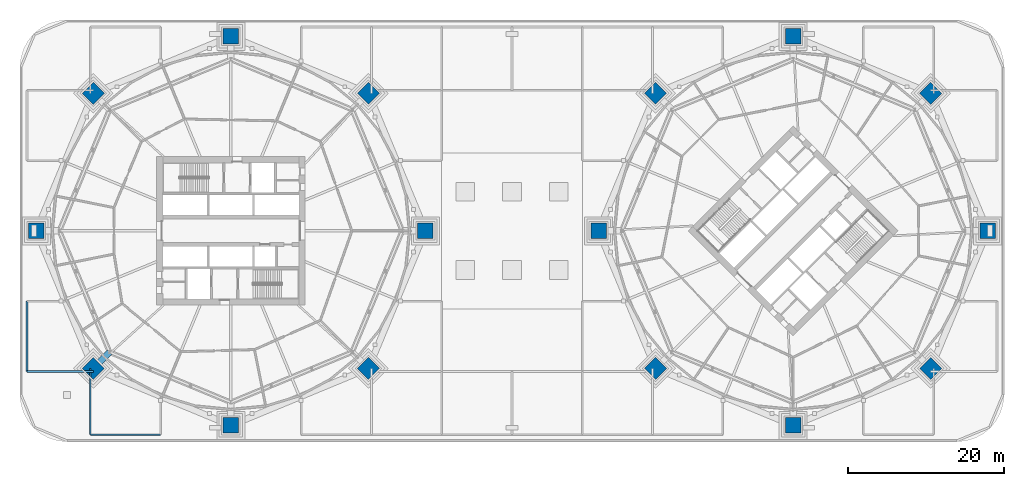
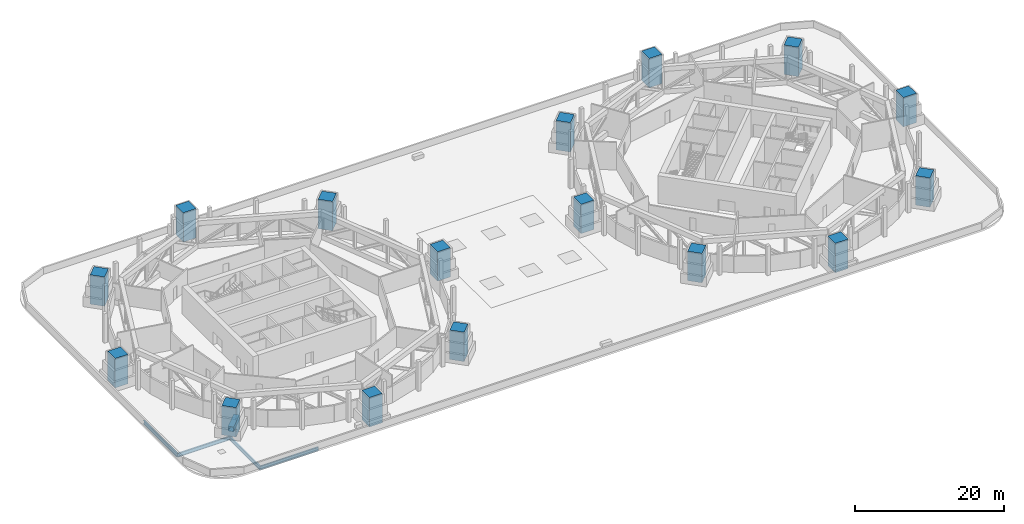
# One storey, part 1 of 21: 16 columns, 5 beams.
"""IFC4 building model written with IfcOpenShell, lengths in metres."""

import ifcopenshell
import ifcopenshell.guid

model = None  # the IFC model being written
_history = None  # IfcOwnerHistory: only IFC2X3 demands one
_inside = {}  # id of a spatial element -> (the spatial element, [elements in it])
_under = {}  # id of a project, library or spatial element -> (it, [spatial elements below it])
_declared = {}  # id of a project -> (the project, [libraries it declares])
_typed = {}  # id of a type object -> (the type object, [elements of that type])
_made_of = {}  # id of a material, layer set ... -> (it, [elements and type objects made of it])


def new_model(schema):
    """Start an empty IFC model of exactly this schema.

    Asked for "IFC4X3", IfcOpenShell would pick the latest addendum, in which some entities
    have other attributes; the version numbers below select the first issue.
    IFC2X3 requires an IfcOwnerHistory on every rooted entity: one is made here for all.
    """
    global model, _history
    if schema == "IFC4X3":
        model = ifcopenshell.file(schema_version=(4, 3, 0, 0))
    else:
        model = ifcopenshell.file(schema=schema)
    _inside.clear()
    _under.clear()
    _declared.clear()
    _typed.clear()
    _made_of.clear()
    _history = None
    if model.schema == "IFC2X3":
        org = make("IfcOrganization", Name="unknown")
        user = make(
            "IfcPersonAndOrganization",
            ThePerson=make("IfcPerson", FamilyName="unknown"),
            TheOrganization=org,
        )
        app = make(
            "IfcApplication",
            ApplicationDeveloper=org,
            Version="unknown",
            ApplicationFullName="unknown",
            ApplicationIdentifier="unknown",
        )
        _history = make(
            "IfcOwnerHistory",
            OwningUser=user,
            OwningApplication=app,
            ChangeAction="ADDED",
            CreationDate=0,
        )
    return model


def make(cls, **values):
    """One entity of the class cls with the attributes given. An attribute that is None is left unset."""
    return model.create_entity(
        cls, **{name: value for name, value in values.items() if value is not None}
    )


def rooted(cls, **values):
    """An entity with a GlobalId (a new one), such as an element, a storey or a relation."""
    return make(cls, GlobalId=ifcopenshell.guid.new(), OwnerHistory=_history, **values)


def si_unit(unit_type, name, prefix=None):
    """IfcSIUnit, for example si_unit("LENGTHUNIT", "METRE", prefix="MILLI")."""
    return make("IfcSIUnit", UnitType=unit_type, Prefix=prefix, Name=name)


def assignment(units):
    """IfcUnitAssignment: the units of a project."""
    return None if units is None else make("IfcUnitAssignment", Units=units)


def point(xyz):
    """IfcCartesianPoint."""
    return None if xyz is None else make("IfcCartesianPoint", Coordinates=xyz)


def direction(xyz):
    """IfcDirection."""
    return None if xyz is None else make("IfcDirection", DirectionRatios=xyz)


def frame(location, z_axis=None, x_axis=None):
    """IfcAxis2Placement3D, a coordinate frame: its origin and axes. An axis left out is left unset."""
    return make(
        "IfcAxis2Placement3D",
        Location=point(location),
        Axis=direction(z_axis),
        RefDirection=direction(x_axis),
    )


def frame_2d(location, x_axis=None):
    """IfcAxis2Placement2D, a coordinate frame in the plane: its origin and x axis."""
    return make(
        "IfcAxis2Placement2D", Location=point(location), RefDirection=direction(x_axis)
    )


def origin():
    """The frame at (0, 0, 0) with its axes left unset."""
    return frame((0.0, 0.0, 0.0))


def origin_2d():
    """The frame at (0, 0) in the plane with its x axis left unset."""
    return frame_2d((0.0, 0.0))


def place(relative_to, where):
    """IfcLocalPlacement: puts the frame where relative to a parent placement (None: the world)."""
    return make(
        "IfcLocalPlacement", PlacementRelTo=relative_to, RelativePlacement=where
    )


def context(
    kind, dimensions, precision=None, world=None, true_north=None, identifier=None
):
    """IfcGeometricRepresentationContext, for example the 3D "Model" context."""
    return make(
        "IfcGeometricRepresentationContext",
        ContextIdentifier=identifier,
        ContextType=kind,
        CoordinateSpaceDimension=dimensions,
        Precision=precision,
        WorldCoordinateSystem=world,
        TrueNorth=true_north,
    )


def subcontext(parent, identifier, kind, view, scale=None):
    """IfcGeometricRepresentationSubContext, for example "Body" below "Model"."""
    return make(
        "IfcGeometricRepresentationSubContext",
        ContextIdentifier=identifier,
        ContextType=kind,
        ParentContext=parent,
        TargetScale=scale,
        TargetView=view,
    )


def project(units=None, contexts=None):
    """IfcProject with its units and contexts."""
    return rooted(
        "IfcProject",
        Name="project",
        RepresentationContexts=contexts,
        UnitsInContext=assignment(units),
    )


def spatial(cls, under=None, at=None, **own):
    """A site, building, storey or space (cls), placed at a placement, below another one or the project."""
    s = rooted(cls, ObjectPlacement=at, **own)
    if under is not None:
        _under.setdefault(under.id(), (under, []))[1].append(s)
    return s


def profile(cls, at=None, kind="AREA", **sizes):
    """A parametric profile (cls). Its sizes go by their IFC names, for example OverallWidth=200.0."""
    return make(cls, ProfileType=kind, Position=at, **sizes)


def rectangle(**sizes):
    """IfcRectangleProfileDef."""
    return profile("IfcRectangleProfileDef", **sizes)


def hollow_rectangle(**sizes):
    """IfcRectangleHollowProfileDef."""
    return profile("IfcRectangleHollowProfileDef", **sizes)


def i_section(**sizes):
    """IfcIShapeProfileDef."""
    return profile("IfcIShapeProfileDef", **sizes)


def extrude(swept, where, along, depth):
    """IfcExtrudedAreaSolid: the profile swept, set in the frame where, extruded along a direction by depth."""
    return make(
        "IfcExtrudedAreaSolid",
        SweptArea=swept,
        Position=where,
        ExtrudedDirection=direction(along),
        Depth=depth,
    )


def shape(context_of_items, identifier, shape_type, items):
    """IfcShapeRepresentation: the items that make up one representation, for example the "Body"."""
    return make(
        "IfcShapeRepresentation",
        ContextOfItems=context_of_items,
        RepresentationIdentifier=identifier,
        RepresentationType=shape_type,
        Items=items,
    )


def material(Name=None, Category=None):
    """IfcMaterial."""
    return make("IfcMaterial", Name=Name, Category=Category)


def material_profile(
    of_material, cross_section, Name=None, Category=None, Priority=None
):
    """IfcMaterialProfile: a cross section and its material."""
    return make(
        "IfcMaterialProfile",
        Name=Name,
        Material=of_material,
        Profile=cross_section,
        Priority=Priority,
        Category=Category,
    )


def profile_set(profiles, Name=None, composite=None):
    """IfcMaterialProfileSet."""
    return make(
        "IfcMaterialProfileSet",
        Name=Name,
        MaterialProfiles=profiles,
        CompositeProfile=composite,
    )


def made_of(thing, what):
    """Note that an element or type object is made of a material, layer set ...; save() writes the relation."""
    if what is not None:
        _made_of.setdefault(what.id(), (what, []))[1].append(thing)
    return thing


def type_object(cls, material=None, **own):
    """A type object (cls), such as IfcWallType, which elements share."""
    return made_of(rooted(cls, **own), material)


def element(
    cls,
    number,
    at=None,
    inside=None,
    cuts=None,
    type_object=None,
    material=None,
    context=None,
    identifier="Body",
    shape_type=None,
    held_by="IfcProductDefinitionShape",
    body=None,
    shapes=None,
    **own,
):
    """One element of the class cls, such as IfcWall. Its Tag is "e" and its number.

    at: its placement. inside: the storey or other place that contains it. cuts: it is an
    opening in that element (IfcRelVoidsElement). A single representation is given by context,
    identifier, shape_type and body (its items); several are given by shapes. held_by: the class
    of the entity that holds the representations. save() writes the other relations.
    """
    e = rooted(cls, Tag="e%d" % number, ObjectPlacement=at, **own)
    if body is not None:
        shapes = [shape(context, identifier, shape_type, body)]
    if shapes is not None:
        e.Representation = make(held_by, Representations=shapes)
    if inside is not None:
        _inside.setdefault(inside.id(), (inside, []))[1].append(e)
    if cuts is not None:
        rooted(
            "IfcRelVoidsElement", RelatingBuildingElement=cuts, RelatedOpeningElement=e
        )
    if type_object is not None:
        _typed.setdefault(type_object.id(), (type_object, []))[1].append(e)
    return made_of(e, material)


def aggregate(whole, parts):
    """IfcRelAggregates: a whole, such as a stair, and the parts it consists of."""
    return rooted("IfcRelAggregates", RelatingObject=whole, RelatedObjects=parts)


def save(model, path):
    """Write the relations noted so far, then the file.

    IfcRelAggregates (storeys below a building ...), IfcRelContainedInSpatialStructure (elements
    in a storey), IfcRelDefinesByType, IfcRelAssociatesMaterial and IfcRelDeclares: one each for
    every whole, place, type object, material and project.
    """
    for whole, parts in _under.values():
        aggregate(whole, parts)
    for where, things in _inside.values():
        rooted(
            "IfcRelContainedInSpatialStructure",
            RelatedElements=things,
            RelatingStructure=where,
        )
    for kind, things in _typed.values():
        rooted("IfcRelDefinesByType", RelatedObjects=things, RelatingType=kind)
    for what, things in _made_of.values():
        rooted("IfcRelAssociatesMaterial", RelatedObjects=things, RelatingMaterial=what)
    for by, libraries in _declared.values():
        rooted("IfcRelDeclares", RelatingContext=by, RelatedDefinitions=libraries)
    model.write(path)


model = new_model("IFC4")

# Units and contexts
model_context = context("Model", 3, precision=1e-05, world=origin(), true_north=direction((0.0, 1.0)))
body_context = subcontext(model_context, "Body", "Model", "MODEL_VIEW")
ifc_project = project(units=[si_unit("LENGTHUNIT", "METRE"), si_unit("AREAUNIT", "SQUARE_METRE"), si_unit("VOLUMEUNIT", "CUBIC_METRE"), si_unit("PLANEANGLEUNIT", "RADIAN"), si_unit("MASSUNIT", "GRAM", prefix="KILO")], contexts=[model_context])

# Site, building, storey
site_placement = place(None, origin())
site = spatial("IfcSite", under=ifc_project, at=site_placement, CompositionType="ELEMENT")
building_placement = place(site_placement, origin())
building = spatial("IfcBuilding", under=site, at=building_placement, Name="Ogive Gate Towers", CompositionType="ELEMENT")
storey_placement = place(building_placement, frame((0.0, 0.0, 27.60009765625)))
storey = spatial("IfcBuildingStorey", under=building, at=storey_placement, Name="L05", CompositionType="ELEMENT", Elevation=27.60009765625)

# Columns
ifc_material_1 = material(Name="Concrete C70/85", Category="concrete")
ifc_material_profile_1 = material_profile(ifc_material_1, rectangle(XDim=2.0, YDim=2.0, at=origin_2d()), Name="RC 2000x2000")
ifc_profile_set_1 = profile_set([ifc_material_profile_1], Name="Concrete C70/85")
column_type = type_object("IfcColumnType", Name="Mega column 2000 x 2000", PredefinedType="COLUMN", material=ifc_profile_set_1)
for number, where, z_axis, x_axis, name in (
    (1, (-11.090087890625, 0.0, 0.0), (0.0, 0.0, 1.0), (1.0, 0.0, 0.0), "T1/L05/SCL001"),
    (2, (-18.385986328125, 17.614013671875, 0.0), (0.0, 0.0, 1.0), (0.707106781187, 0.707106781187, 0.0), "T1/L05/SCL002"),
    (3, (-36.0, 24.909912109375, 0.0), (0.0, 0.0, 1.0), (0.0, 1.0, 0.0), "T1/L05/SCL003"),
    (4, (-53.614013671875, 17.614013671875, 0.0), (0.0, 0.0, 1.0), (-0.707106781187, 0.707106781187, 0.0), "T1/L05/SCL004"),
    (5, (-60.909912109375, 0.0, 0.0), (0.0, 0.0, 1.0), (-1.0, 0.0, 0.0), "T1/L05/SCL005"),
    (6, (-53.614013671875, -17.614013671875, 0.0), (0.0, 0.0, 1.0), (-0.707106781187, -0.707106781187, 0.0), "T1/L05/SCL006"),
    (7, (-36.0, -24.909912109375, 0.0), (0.0, 0.0, 1.0), (0.0, -1.0, 0.0), "T1/L05/SCL007"),
    (8, (-18.385986328125, -17.614013671875, 0.0), (0.0, 0.0, 1.0), (0.707106781187, -0.707106781187, 0.0), "T1/L05/SCL008"),
    (9, (60.909912109375, 0.0, 0.0), (0.0, 0.0, 1.0), (1.0, 0.0, 0.0), "T2/L05/SCL001"),
    (10, (53.614013671875, 17.614013671875, 0.0), (0.0, 0.0, 1.0), (0.707106781187, 0.707106781187, 0.0), "T2/L05/SCL002"),
    (11, (36.0, 24.909912109375, 0.0), (0.0, 0.0, 1.0), (0.0, 1.0, 0.0), "T2/L05/SCL003"),
    (12, (18.385986328125, 17.614013671875, 0.0), (0.0, 0.0, 1.0), (-0.707106781187, 0.707106781187, 0.0), "T2/L05/SCL004"),
    (13, (11.090087890625, 0.0, 0.0), (0.0, 0.0, 1.0), (-1.0, 0.0, 0.0), "T2/L05/SCL005"),
    (14, (18.385986328125, -17.614013671875, 0.0), (0.0, 0.0, 1.0), (-0.707106781187, -0.707106781187, 0.0), "T2/L05/SCL006"),
    (15, (36.0, -24.909912109375, 0.0), (0.0, 0.0, 1.0), (0.0, -1.0, 0.0), "T2/L05/SCL007"),
    (16, (53.614013671875, -17.614013671875, 0.0), (0.0, 0.0, 1.0), (0.707106781187, -0.707106781187, 0.0), "T2/L05/SCL008"),
):
    element("IfcColumn", number, at=place(storey_placement, frame(where, z_axis=z_axis, x_axis=x_axis)), inside=storey, type_object=column_type, Name=name, PredefinedType="COLUMN", context=body_context, shape_type="SweptSolid", body=[
        extrude(rectangle(XDim=2.0, YDim=2.0, at=origin_2d()), origin(), (0.0, 0.0, 1.0), 4.7998046875),
    ])

# Beams
ifc_material_2 = material(Name="Steel SM355", Category="steel")
ifc_material_profile_2 = material_profile(ifc_material_2, i_section(OverallWidth=0.219970703125, OverallDepth=0.60009765625, WebThickness=0.011962890625, FlangeThickness=0.01904296875, FilletRadius=0.02392578125, at=origin_2d()), Name="IPE 600")
ifc_profile_set_2 = profile_set([ifc_material_profile_2], Name="Steel SM355")
beam_type_1 = type_object("IfcBeamType", Name="Floor beam IPE 600", PredefinedType="BEAM", material=ifc_profile_set_2)
for number, where, z_axis, x_axis, name in (
    (17, (-54.0, -26.10009765625, -0.60009765625), (0.0, 1.0, 0.0), (-1.0, 0.0, 0.0), "PD/L05/SBM001"),
    (18, (-62.10009765625, -18.0, -0.60009765625), (1.0, 0.0, 0.0), (0.0, 1.0, 0.0), "PD/L05/SBM019"),
):
    element("IfcBeam", number, at=place(storey_placement, frame(where, z_axis=z_axis, x_axis=x_axis)), inside=storey, type_object=beam_type_1, Name=name, PredefinedType="BEAM", context=body_context, shape_type="SweptSolid", body=[
        extrude(i_section(OverallWidth=0.219970703125, OverallDepth=0.60009765625, WebThickness=0.011962890625, FlangeThickness=0.01904296875, FilletRadius=0.02392578125, at=origin_2d()), origin(), (0.0, 0.0, 1.0), 8.486083984375),
    ])
for number, where, z_axis, x_axis, name in (
    (19, (-45.0, -26.10009765625, -0.60009765625), (-1.0, 0.0, 0.0), (0.0, -1.0, 0.0), "PD/L05/SBM038"),
    (20, (-62.10009765625, -18.0, -0.60009765625), (0.0, 1.0, 0.0), (-1.0, 0.0, 0.0), "PD/L05/SBM039"),
):
    element("IfcBeam", number, at=place(storey_placement, frame(where, z_axis=z_axis, x_axis=x_axis)), inside=storey, type_object=beam_type_1, Name=name, PredefinedType="BEAM", context=body_context, shape_type="SweptSolid", body=[
        extrude(i_section(OverallWidth=0.219970703125, OverallDepth=0.60009765625, WebThickness=0.011962890625, FlangeThickness=0.01904296875, FilletRadius=0.02392578125, at=origin_2d()), origin(), (0.0, 0.0, 1.0), 9.0),
    ])
ifc_material_3 = material(Name="Steel SM460", Category="steel")
ifc_material_profile_3 = material_profile(ifc_material_3, hollow_rectangle(XDim=0.800048828125, YDim=0.800048828125, WallThickness=0.050048828125, at=origin_2d()), Name="BX 800x800x50")
ifc_profile_set_3 = profile_set([ifc_material_profile_3], Name="Steel SM460")
beam_type_2 = type_object("IfcBeamType", Name="Node arm BX 800x800x50", PredefinedType="BEAM", material=ifc_profile_set_3)
beam_placement = place(storey_placement, frame((-51.528076171875, -15.528076171875, 0.449951171875), z_axis=(-0.707106781187, -0.707106781187, 0.0), x_axis=(0.707106781187, -0.707106781187, 0.0)))
element("IfcBeam", 21, at=beam_placement, inside=storey, type_object=beam_type_2, Name="T1/L05/SBM030", PredefinedType="BEAM", context=body_context, shape_type="SweptSolid", body=[
    extrude(hollow_rectangle(XDim=0.800048828125, YDim=0.800048828125, WallThickness=0.050048828125, at=origin_2d()), origin(), (0.0, 0.0, 1.0), 2.949951171875),
])

save(model, "model.ifc")
